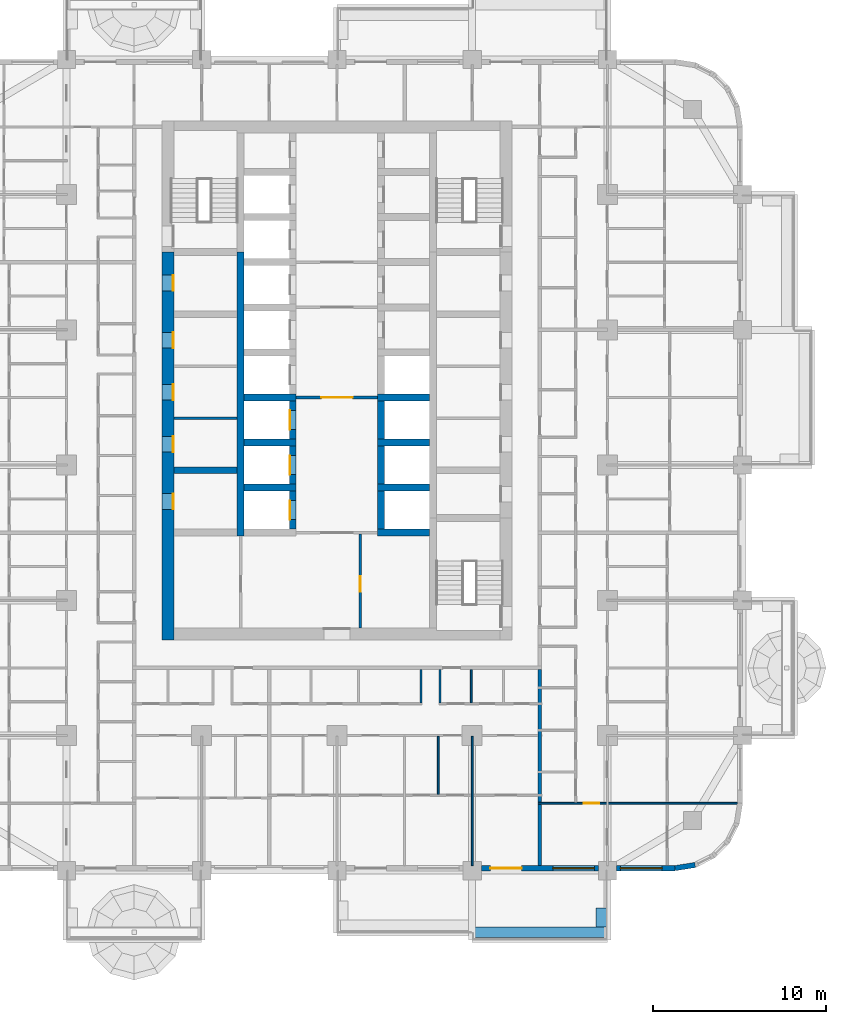
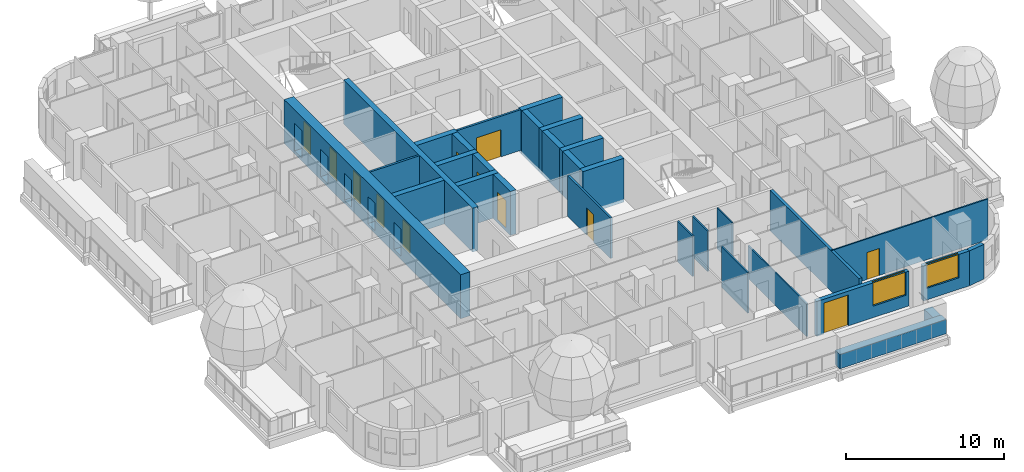
# One storey, part 7 of 19: 31 walls, 12 doors, 2 windows, 14 openings.
"""IFC4 building model written with IfcOpenShell, lengths in metres."""

import ifcopenshell
import ifcopenshell.guid

model = None  # the IFC model being written
_history = None  # IfcOwnerHistory: only IFC2X3 demands one
_inside = {}  # id of a spatial element -> (the spatial element, [elements in it])
_under = {}  # id of a project, library or spatial element -> (it, [spatial elements below it])
_declared = {}  # id of a project -> (the project, [libraries it declares])
_typed = {}  # id of a type object -> (the type object, [elements of that type])
_made_of = {}  # id of a material, layer set ... -> (it, [elements and type objects made of it])


def new_model(schema):
    """Start an empty IFC model of exactly this schema.

    Asked for "IFC4X3", IfcOpenShell would pick the latest addendum, in which some entities
    have other attributes; the version numbers below select the first issue.
    IFC2X3 requires an IfcOwnerHistory on every rooted entity: one is made here for all.
    """
    global model, _history
    if schema == "IFC4X3":
        model = ifcopenshell.file(schema_version=(4, 3, 0, 0))
    else:
        model = ifcopenshell.file(schema=schema)
    _inside.clear()
    _under.clear()
    _declared.clear()
    _typed.clear()
    _made_of.clear()
    _history = None
    if model.schema == "IFC2X3":
        org = make("IfcOrganization", Name="unknown")
        user = make(
            "IfcPersonAndOrganization",
            ThePerson=make("IfcPerson", FamilyName="unknown"),
            TheOrganization=org,
        )
        app = make(
            "IfcApplication",
            ApplicationDeveloper=org,
            Version="unknown",
            ApplicationFullName="unknown",
            ApplicationIdentifier="unknown",
        )
        _history = make(
            "IfcOwnerHistory",
            OwningUser=user,
            OwningApplication=app,
            ChangeAction="ADDED",
            CreationDate=0,
        )
    return model


def make(cls, **values):
    """One entity of the class cls with the attributes given. An attribute that is None is left unset."""
    return model.create_entity(
        cls, **{name: value for name, value in values.items() if value is not None}
    )


def rooted(cls, **values):
    """An entity with a GlobalId (a new one), such as an element, a storey or a relation."""
    return make(cls, GlobalId=ifcopenshell.guid.new(), OwnerHistory=_history, **values)


def si_unit(unit_type, name, prefix=None):
    """IfcSIUnit, for example si_unit("LENGTHUNIT", "METRE", prefix="MILLI")."""
    return make("IfcSIUnit", UnitType=unit_type, Prefix=prefix, Name=name)


def assignment(units):
    """IfcUnitAssignment: the units of a project."""
    return None if units is None else make("IfcUnitAssignment", Units=units)


def point(xyz):
    """IfcCartesianPoint."""
    return None if xyz is None else make("IfcCartesianPoint", Coordinates=xyz)


def direction(xyz):
    """IfcDirection."""
    return None if xyz is None else make("IfcDirection", DirectionRatios=xyz)


def frame(location, z_axis=None, x_axis=None):
    """IfcAxis2Placement3D, a coordinate frame: its origin and axes. An axis left out is left unset."""
    return make(
        "IfcAxis2Placement3D",
        Location=point(location),
        Axis=direction(z_axis),
        RefDirection=direction(x_axis),
    )


def frame_2d(location, x_axis=None):
    """IfcAxis2Placement2D, a coordinate frame in the plane: its origin and x axis."""
    return make(
        "IfcAxis2Placement2D", Location=point(location), RefDirection=direction(x_axis)
    )


def origin():
    """The frame at (0, 0, 0) with its axes left unset."""
    return frame((0.0, 0.0, 0.0))


def place(relative_to, where):
    """IfcLocalPlacement: puts the frame where relative to a parent placement (None: the world)."""
    return make(
        "IfcLocalPlacement", PlacementRelTo=relative_to, RelativePlacement=where
    )


def context(
    kind, dimensions, precision=None, world=None, true_north=None, identifier=None
):
    """IfcGeometricRepresentationContext, for example the 3D "Model" context."""
    return make(
        "IfcGeometricRepresentationContext",
        ContextIdentifier=identifier,
        ContextType=kind,
        CoordinateSpaceDimension=dimensions,
        Precision=precision,
        WorldCoordinateSystem=world,
        TrueNorth=true_north,
    )


def subcontext(parent, identifier, kind, view, scale=None):
    """IfcGeometricRepresentationSubContext, for example "Body" below "Model"."""
    return make(
        "IfcGeometricRepresentationSubContext",
        ContextIdentifier=identifier,
        ContextType=kind,
        ParentContext=parent,
        TargetScale=scale,
        TargetView=view,
    )


def project(units=None, contexts=None):
    """IfcProject with its units and contexts."""
    return rooted(
        "IfcProject",
        Name="project",
        RepresentationContexts=contexts,
        UnitsInContext=assignment(units),
    )


def spatial(cls, under=None, at=None, **own):
    """A site, building, storey or space (cls), placed at a placement, below another one or the project."""
    s = rooted(cls, ObjectPlacement=at, **own)
    if under is not None:
        _under.setdefault(under.id(), (under, []))[1].append(s)
    return s


def profile(cls, at=None, kind="AREA", **sizes):
    """A parametric profile (cls). Its sizes go by their IFC names, for example OverallWidth=200.0."""
    return make(cls, ProfileType=kind, Position=at, **sizes)


def rectangle(**sizes):
    """IfcRectangleProfileDef."""
    return profile("IfcRectangleProfileDef", **sizes)


def extrude(swept, where, along, depth):
    """IfcExtrudedAreaSolid: the profile swept, set in the frame where, extruded along a direction by depth."""
    return make(
        "IfcExtrudedAreaSolid",
        SweptArea=swept,
        Position=where,
        ExtrudedDirection=direction(along),
        Depth=depth,
    )


def shape(context_of_items, identifier, shape_type, items):
    """IfcShapeRepresentation: the items that make up one representation, for example the "Body"."""
    return make(
        "IfcShapeRepresentation",
        ContextOfItems=context_of_items,
        RepresentationIdentifier=identifier,
        RepresentationType=shape_type,
        Items=items,
    )


def material(Name=None, Category=None):
    """IfcMaterial."""
    return make("IfcMaterial", Name=Name, Category=Category)


def layer(
    of_material, thickness, ventilated=None, Name=None, Category=None, Priority=None
):
    """IfcMaterialLayer: one layer of a wall or slab, of a material (None: an air gap)."""
    return make(
        "IfcMaterialLayer",
        Material=of_material,
        LayerThickness=thickness,
        IsVentilated=ventilated,
        Name=Name,
        Category=Category,
        Priority=Priority,
    )


def layer_set(layers, Name=None):
    """IfcMaterialLayerSet."""
    return make("IfcMaterialLayerSet", MaterialLayers=layers, LayerSetName=Name)


def made_of(thing, what):
    """Note that an element or type object is made of a material, layer set ...; save() writes the relation."""
    if what is not None:
        _made_of.setdefault(what.id(), (what, []))[1].append(thing)
    return thing


def type_object(cls, material=None, **own):
    """A type object (cls), such as IfcWallType, which elements share."""
    return made_of(rooted(cls, **own), material)


def element(
    cls,
    number,
    at=None,
    inside=None,
    cuts=None,
    type_object=None,
    material=None,
    context=None,
    identifier="Body",
    shape_type=None,
    held_by="IfcProductDefinitionShape",
    body=None,
    shapes=None,
    **own,
):
    """One element of the class cls, such as IfcWall. Its Tag is "e" and its number.

    at: its placement. inside: the storey or other place that contains it. cuts: it is an
    opening in that element (IfcRelVoidsElement). A single representation is given by context,
    identifier, shape_type and body (its items); several are given by shapes. held_by: the class
    of the entity that holds the representations. save() writes the other relations.
    """
    e = rooted(cls, Tag="e%d" % number, ObjectPlacement=at, **own)
    if body is not None:
        shapes = [shape(context, identifier, shape_type, body)]
    if shapes is not None:
        e.Representation = make(held_by, Representations=shapes)
    if inside is not None:
        _inside.setdefault(inside.id(), (inside, []))[1].append(e)
    if cuts is not None:
        rooted(
            "IfcRelVoidsElement", RelatingBuildingElement=cuts, RelatedOpeningElement=e
        )
    if type_object is not None:
        _typed.setdefault(type_object.id(), (type_object, []))[1].append(e)
    return made_of(e, material)


def fill(opening, filler):
    """IfcRelFillsElement: the door or window that sits in an opening."""
    return rooted(
        "IfcRelFillsElement",
        RelatingOpeningElement=opening,
        RelatedBuildingElement=filler,
    )


def aggregate(whole, parts):
    """IfcRelAggregates: a whole, such as a stair, and the parts it consists of."""
    return rooted("IfcRelAggregates", RelatingObject=whole, RelatedObjects=parts)


def save(model, path):
    """Write the relations noted so far, then the file.

    IfcRelAggregates (storeys below a building ...), IfcRelContainedInSpatialStructure (elements
    in a storey), IfcRelDefinesByType, IfcRelAssociatesMaterial and IfcRelDeclares: one each for
    every whole, place, type object, material and project.
    """
    for whole, parts in _under.values():
        aggregate(whole, parts)
    for where, things in _inside.values():
        rooted(
            "IfcRelContainedInSpatialStructure",
            RelatedElements=things,
            RelatingStructure=where,
        )
    for kind, things in _typed.values():
        rooted("IfcRelDefinesByType", RelatedObjects=things, RelatingType=kind)
    for what, things in _made_of.values():
        rooted("IfcRelAssociatesMaterial", RelatedObjects=things, RelatingMaterial=what)
    for by, libraries in _declared.values():
        rooted("IfcRelDeclares", RelatingContext=by, RelatedDefinitions=libraries)
    model.write(path)


model = new_model("IFC4")

# Units and contexts
model_context = context("Model", 3, precision=1e-05, world=origin(), true_north=direction((0.0, 1.0)))
body_context = subcontext(model_context, "Body", "Model", "MODEL_VIEW")
ifc_project = project(units=[si_unit("LENGTHUNIT", "METRE"), si_unit("AREAUNIT", "SQUARE_METRE"), si_unit("VOLUMEUNIT", "CUBIC_METRE"), si_unit("PLANEANGLEUNIT", "RADIAN"), si_unit("MASSUNIT", "GRAM", prefix="KILO")], contexts=[model_context])

# Site, building, storey
site_placement = place(None, origin())
site = spatial("IfcSite", under=ifc_project, at=site_placement, CompositionType="ELEMENT")
building_placement = place(site_placement, origin())
building = spatial("IfcBuilding", under=site, at=building_placement, Name="Ludao Terraces", CompositionType="ELEMENT")
storey_placement = place(building_placement, frame((0.0, 0.0, 36.5)))
storey = spatial("IfcBuildingStorey", under=building, at=storey_placement, Name="L09", CompositionType="ELEMENT", Elevation=36.5)

# Wall, openings, doors
ifc_material_1 = material(Name="Concrete C70", Category="concrete")
ifc_layer_1 = layer(ifc_material_1, 0.699951171875)
ifc_layer_set_1 = layer_set([ifc_layer_1], Name="Core wall 700 C70")
wall_type_1 = type_object("IfcWallType", Name="Core wall 700 C70", PredefinedType="SOLIDWALL", material=ifc_layer_set_1)
wall_1_placement = place(storey_placement, frame((75.25, 54.89990234375, -0.25), z_axis=(0.0, 0.0, 1.0), x_axis=(0.0, 1.0, 0.0)))
wall_1 = element("IfcWall", 1, at=wall_1_placement, inside=storey, type_object=wall_type_1, Name="Core wall L09 outer-W", PredefinedType="SOLIDWALL", context=body_context, shape_type="SweptSolid", body=[
    extrude(rectangle(XDim=22.400146484375, YDim=0.699951171875, at=frame_2d((11.2001953125, 0.0))), origin(), (0.0, 0.0, 1.0), 3.39990234375),
])
opening_1_placement = place(wall_1_placement, frame((7.550048828125, 0.0, 0.25)))
opening_1 = element("IfcOpeningElement", 2, at=opening_1_placement, cuts=wall_1, Name="Opening R02-077", PredefinedType="OPENING", context=body_context, shape_type="SweptSolid", body=[
    extrude(rectangle(XDim=0.89990234375, YDim=2.10009765625, at=frame_2d((0.449951171875, 1.050048828125))), frame((0.0, 0.35986328125, 0.0), z_axis=(0.0, -1.0, 0.0), x_axis=(1.0, 0.0, 0.0)), (0.0, 0.0, 1.0), 0.719970703125),
])
opening_2_placement = place(wall_1_placement, frame((10.85009765625, 0.0, 0.25)))
opening_2 = element("IfcOpeningElement", 3, at=opening_2_placement, cuts=wall_1, Name="Opening R02-086", PredefinedType="OPENING", context=body_context, shape_type="SweptSolid", body=[
    extrude(rectangle(XDim=0.89990234375, YDim=2.10009765625, at=frame_2d((0.449951171875, 1.050048828125))), frame((0.0, 0.35986328125, 0.0), z_axis=(0.0, -1.0, 0.0), x_axis=(1.0, 0.0, 0.0)), (0.0, 0.0, 1.0), 0.719970703125),
])
opening_3_placement = place(wall_1_placement, frame((13.85009765625, 0.0, 0.25)))
opening_3 = element("IfcOpeningElement", 4, at=opening_3_placement, cuts=wall_1, Name="Opening R02-098", PredefinedType="OPENING", context=body_context, shape_type="SweptSolid", body=[
    extrude(rectangle(XDim=0.89990234375, YDim=2.10009765625, at=frame_2d((0.449951171875, 1.050048828125))), frame((0.0, 0.35986328125, 0.0), z_axis=(0.0, -1.0, 0.0), x_axis=(1.0, 0.0, 0.0)), (0.0, 0.0, 1.0), 0.719970703125),
])
opening_4_placement = place(wall_1_placement, frame((16.85009765625, 0.0, 0.25)))
opening_4 = element("IfcOpeningElement", 5, at=opening_4_placement, cuts=wall_1, Name="Opening R02-108", PredefinedType="OPENING", context=body_context, shape_type="SweptSolid", body=[
    extrude(rectangle(XDim=0.89990234375, YDim=2.10009765625, at=frame_2d((0.449951171875, 1.050048828125))), frame((0.0, 0.35986328125, 0.0), z_axis=(0.0, -1.0, 0.0), x_axis=(1.0, 0.0, 0.0)), (0.0, 0.0, 1.0), 0.719970703125),
])
opening_5_placement = place(wall_1_placement, frame((20.14990234375, 0.0, 0.25)))
opening_5 = element("IfcOpeningElement", 6, at=opening_5_placement, cuts=wall_1, Name="Opening R02-120", PredefinedType="OPENING", context=body_context, shape_type="SweptSolid", body=[
    extrude(rectangle(XDim=0.89990234375, YDim=2.10009765625, at=frame_2d((0.449951171875, 1.050048828125))), frame((0.0, 0.35986328125, 0.0), z_axis=(0.0, -1.0, 0.0), x_axis=(1.0, 0.0, 0.0)), (0.0, 0.0, 1.0), 0.719970703125),
])
ifc_material_2 = material(Name="Steel Q235", Category="steel")
door_type_1 = type_object("IfcDoorType", Name="INT Riser door 900", OperationType="SINGLE_SWING_LEFT", PredefinedType="DOOR", material=ifc_material_2)
door_1_placement = place(opening_1_placement, origin())
door_1 = element("IfcDoor", 7, at=door_1_placement, inside=storey, type_object=door_type_1, Name="DOOR 077", OperationType="SINGLE_SWING_LEFT", OverallHeight=2.10009765625, OverallWidth=0.89990234375, PredefinedType="DOOR", context=body_context, shape_type="SweptSolid", body=[
    extrude(rectangle(XDim=0.89990234375, YDim=2.10009765625, at=frame_2d((0.449951171875, 1.050048828125))), frame((0.0, -0.28515625, 0.0), z_axis=(0.0, -1.0, 0.0), x_axis=(1.0, 0.0, 0.0)), (0.0, 0.0, 1.0), 0.050048828125),
])
fill(opening_1, door_1)
door_2_placement = place(opening_5_placement, origin())
door_2 = element("IfcDoor", 8, at=door_2_placement, inside=storey, type_object=door_type_1, Name="DOOR 120", OperationType="SINGLE_SWING_RIGHT", OverallHeight=2.10009765625, OverallWidth=0.89990234375, PredefinedType="DOOR", context=body_context, shape_type="SweptSolid", body=[
    extrude(rectangle(XDim=0.89990234375, YDim=2.10009765625, at=frame_2d((0.449951171875, 1.050048828125))), frame((0.0, -0.28515625, 0.0), z_axis=(0.0, -1.0, 0.0), x_axis=(1.0, 0.0, 0.0)), (0.0, 0.0, 1.0), 0.050048828125),
])
fill(opening_5, door_2)
ifc_material_3 = material(Name="Timber door leaf", Category="wood")
door_type_2 = type_object("IfcDoorType", Name="INT Room door 900", OperationType="SINGLE_SWING_LEFT", PredefinedType="DOOR", material=ifc_material_3)
door_3_placement = place(opening_2_placement, origin())
door_3 = element("IfcDoor", 9, at=door_3_placement, inside=storey, type_object=door_type_2, Name="DOOR 086", OperationType="SINGLE_SWING_RIGHT", OverallHeight=2.10009765625, OverallWidth=0.89990234375, PredefinedType="DOOR", context=body_context, shape_type="SweptSolid", body=[
    extrude(rectangle(XDim=0.89990234375, YDim=2.10009765625, at=frame_2d((0.449951171875, 1.050048828125))), frame((0.0, -0.28515625, 0.0), z_axis=(0.0, -1.0, 0.0), x_axis=(1.0, 0.0, 0.0)), (0.0, 0.0, 1.0), 0.050048828125),
])
fill(opening_2, door_3)
door_4_placement = place(opening_3_placement, origin())
door_4 = element("IfcDoor", 10, at=door_4_placement, inside=storey, type_object=door_type_2, Name="DOOR 098", OperationType="SINGLE_SWING_RIGHT", OverallHeight=2.10009765625, OverallWidth=0.89990234375, PredefinedType="DOOR", context=body_context, shape_type="SweptSolid", body=[
    extrude(rectangle(XDim=0.89990234375, YDim=2.10009765625, at=frame_2d((0.449951171875, 1.050048828125))), frame((0.0, -0.28515625, 0.0), z_axis=(0.0, -1.0, 0.0), x_axis=(1.0, 0.0, 0.0)), (0.0, 0.0, 1.0), 0.050048828125),
])
fill(opening_3, door_4)
door_5_placement = place(opening_4_placement, origin())
door_5 = element("IfcDoor", 11, at=door_5_placement, inside=storey, type_object=door_type_2, Name="DOOR 108", OperationType="SINGLE_SWING_LEFT", OverallHeight=2.10009765625, OverallWidth=0.89990234375, PredefinedType="DOOR", context=body_context, shape_type="SweptSolid", body=[
    extrude(rectangle(XDim=0.89990234375, YDim=2.10009765625, at=frame_2d((0.449951171875, 1.050048828125))), frame((0.0, -0.28515625, 0.0), z_axis=(0.0, -1.0, 0.0), x_axis=(1.0, 0.0, 0.0)), (0.0, 0.0, 1.0), 0.050048828125),
])
fill(opening_4, door_5)

# Walls
ifc_material_4 = material(Name="Concrete C40", Category="concrete")
ifc_layer_2 = layer(ifc_material_4, 0.60009765625)
ifc_layer_set_2 = layer_set([ifc_layer_2], Name="ENV Planter trough 600")
wall_type_2 = type_object("IfcWallType", Name="ENV Planter trough 600", PredefinedType="USERDEFINED", material=ifc_layer_set_2)
wall_2_placement = place(storey_placement, frame((92.800048828125, 38.050048828125, 0.0), z_axis=(0.0, 0.0, 1.0), x_axis=(1.0, 0.0, 0.0)))
element("IfcWall", 12, at=wall_2_placement, inside=storey, type_object=wall_type_2, Name="PL-L09-S4", ObjectType="PLANTER", PredefinedType="USERDEFINED", context=body_context, shape_type="SweptSolid", body=[
    extrude(rectangle(XDim=7.800048828125, YDim=0.60009765625, at=frame_2d((3.89990234375, 0.0))), origin(), (0.0, 0.0, 1.0), 1.10009765625),
])
wall_3_placement = place(storey_placement, frame((100.25, 38.35009765625, 0.0), z_axis=(0.0, 0.0, 1.0), x_axis=(0.0, 1.0, 0.0)))
element("IfcWall", 13, at=wall_3_placement, inside=storey, type_object=wall_type_2, Name="PL-L09-S4-SB", ObjectType="PLANTER", PredefinedType="USERDEFINED", context=body_context, shape_type="SweptSolid", body=[
    extrude(rectangle(XDim=1.099853515625, YDim=0.60009765625, at=frame_2d((0.5498046875, 0.0))), origin(), (0.0, 0.0, 1.0), 1.10009765625),
])

# Wall, openings, door, window
ifc_material_5 = material(Name="Granite cladding", Category="masonry")
ifc_layer_3 = layer(ifc_material_5, 0.0400390625, Category="stone")
ifc_material_6 = material(Name="Mineral wool")
ifc_layer_4 = layer(ifc_material_6, 0.06005859375)
ifc_layer_5 = layer(ifc_material_4, 0.199951171875, Category="concrete")
ifc_layer_set_3 = layer_set([ifc_layer_3, ifc_layer_4, ifc_layer_5], Name="ENV Stone-clad wall 300")
wall_type_3 = type_object("IfcWallType", Name="ENV Stone-clad wall 300", PredefinedType="SOLIDWALL", material=ifc_layer_set_3)
wall_4_placement = place(storey_placement, frame((93.324951171875, 41.75, 0.0), z_axis=(0.0, 0.0, 1.0), x_axis=(1.0, 0.0, 0.0)))
wall_4 = element("IfcWall", 14, at=wall_4_placement, inside=storey, type_object=wall_type_3, Name="EW-L09-S5", PredefinedType="SOLIDWALL", context=body_context, shape_type="SweptSolid", body=[
    extrude(rectangle(XDim=6.75, YDim=0.300048828125, at=frame_2d((3.375, 0.0))), origin(), (0.0, 0.0, 1.0), 2.699951171875),
])
opening_6_placement = place(wall_4_placement, frame((0.52490234375, 0.0, 0.0)))
opening_6 = element("IfcOpeningElement", 15, at=opening_6_placement, cuts=wall_4, Name="Opening BD", PredefinedType="OPENING", context=body_context, shape_type="SweptSolid", body=[
    extrude(rectangle(XDim=1.800048828125, YDim=2.39990234375, at=frame_2d((0.89990234375, 1.199951171875))), frame((0.0, 0.16015625, 0.0), z_axis=(0.0, -1.0, 0.0), x_axis=(1.0, 0.0, 0.0)), (0.0, 0.0, 1.0), 0.320068359375),
])
opening_7_placement = place(wall_4_placement, frame((4.125, 0.0, 0.89990234375)))
opening_7 = element("IfcOpeningElement", 16, at=opening_7_placement, cuts=wall_4, Name="Opening W1", PredefinedType="OPENING", context=body_context, shape_type="SweptSolid", body=[
    extrude(rectangle(XDim=2.39990234375, YDim=1.800048828125, at=frame_2d((1.199951171875, 0.89990234375))), frame((0.0, 0.16015625, 0.0), z_axis=(0.0, -1.0, 0.0), x_axis=(1.0, 0.0, 0.0)), (0.0, 0.0, 1.0), 0.320068359375),
])
ifc_material_7 = material(Name="Aluminium glazed door", Category="aluminium")
ifc_layer_6 = layer(ifc_material_7, 0.06005859375)
ifc_layer_set_4 = layer_set([ifc_layer_6], Name="ENV Balcony door BD 1800x2400")
door_type_3 = type_object("IfcDoorType", Name="ENV Balcony door BD 1800x2400", OperationType="DOUBLE_DOOR_SINGLE_SWING", PredefinedType="DOOR", material=ifc_layer_set_4)
door_6_placement = place(opening_6_placement, origin())
door_6 = element("IfcDoor", 17, at=door_6_placement, inside=storey, type_object=door_type_3, Name="BD-L09-S5-1", OperationType="DOUBLE_DOOR_SINGLE_SWING", OverallHeight=2.39990234375, OverallWidth=1.800048828125, PredefinedType="DOOR", context=body_context, shape_type="SweptSolid", body=[
    extrude(rectangle(XDim=1.800048828125, YDim=2.39990234375, at=frame_2d((0.89990234375, 1.199951171875))), frame((0.0, 0.02490234375, 0.0), z_axis=(0.0, -1.0, 0.0), x_axis=(1.0, 0.0, 0.0)), (0.0, 0.0, 1.0), 0.050048828125),
])
fill(opening_6, door_6)
ifc_material_8 = material(Name="Clear glass in aluminium frame", Category="aluminium")
ifc_layer_7 = layer(ifc_material_8, 0.06005859375)
ifc_layer_set_5 = layer_set([ifc_layer_7], Name="ENV Window W1 2400x1800")
window_type = type_object("IfcWindowType", Name="ENV Window W1 2400x1800", PartitioningType="DOUBLE_PANEL_VERTICAL", PredefinedType="WINDOW", material=ifc_layer_set_5)
window_1_placement = place(opening_7_placement, origin())
window_1 = element("IfcWindow", 18, at=window_1_placement, inside=storey, type_object=window_type, Name="W-L09-S5-2", OverallHeight=1.800048828125, OverallWidth=2.39990234375, PartitioningType="DOUBLE_PANEL_VERTICAL", PredefinedType="WINDOW", context=body_context, shape_type="SweptSolid", body=[
    extrude(rectangle(XDim=2.39990234375, YDim=1.800048828125, at=frame_2d((1.199951171875, 0.89990234375))), frame((0.0, 0.030029296875, 0.0), z_axis=(0.0, -1.0, 0.0), x_axis=(1.0, 0.0, 0.0)), (0.0, 0.0, 1.0), 0.06005859375),
])
fill(opening_7, window_1)

# Wall, opening, window
wall_5_placement = place(storey_placement, frame((101.125, 41.75, 0.0), z_axis=(0.0, 0.0, 1.0), x_axis=(1.0, 0.0, 0.0)))
wall_5 = element("IfcWall", 19, at=wall_5_placement, inside=storey, type_object=wall_type_3, Name="EW-L09-S6", PredefinedType="SOLIDWALL", context=body_context, shape_type="SweptSolid", body=[
    extrude(rectangle(XDim=3.375, YDim=0.300048828125, at=frame_2d((1.6875, 0.0))), origin(), (0.0, 0.0, 1.0), 2.699951171875),
])
opening_8_placement = place(wall_5_placement, frame((0.22509765625, 0.0, 0.89990234375)))
opening_8 = element("IfcOpeningElement", 20, at=opening_8_placement, cuts=wall_5, Name="Opening W1", PredefinedType="OPENING", context=body_context, shape_type="SweptSolid", body=[
    extrude(rectangle(XDim=2.39990234375, YDim=1.800048828125, at=frame_2d((1.199951171875, 0.89990234375))), frame((0.0, 0.16015625, 0.0), z_axis=(0.0, -1.0, 0.0), x_axis=(1.0, 0.0, 0.0)), (0.0, 0.0, 1.0), 0.320068359375),
])
window_2_placement = place(opening_8_placement, origin())
window_2 = element("IfcWindow", 21, at=window_2_placement, inside=storey, type_object=window_type, Name="W-L09-S6-1", OverallHeight=1.800048828125, OverallWidth=2.39990234375, PartitioningType="DOUBLE_PANEL_VERTICAL", PredefinedType="WINDOW", context=body_context, shape_type="SweptSolid", body=[
    extrude(rectangle(XDim=2.39990234375, YDim=1.800048828125, at=frame_2d((1.199951171875, 0.89990234375))), frame((0.0, 0.030029296875, 0.0), z_axis=(0.0, -1.0, 0.0), x_axis=(1.0, 0.0, 0.0)), (0.0, 0.0, 1.0), 0.06005859375),
])
fill(opening_8, window_2)

# Walls
wall_6_placement = place(storey_placement, frame((104.5, 41.75, 0.0), z_axis=(0.0, 0.0, 1.0), x_axis=(0.987678452879, 0.156496880861, 0.0)))
element("IfcWall", 22, at=wall_6_placement, inside=storey, type_object=wall_type_3, Name="EW-L09-SE1", PredefinedType="SOLIDWALL", context=body_context, shape_type="SweptSolid", body=[
    extrude(rectangle(XDim=1.173095703125, YDim=0.300048828125, at=frame_2d((0.58642578125, 0.0))), origin(), (0.0, 0.0, 1.0), 2.699951171875),
])
ifc_material_9 = material(Name="Fire-rated gypsum plasterboard", Category="gypsum")
ifc_layer_8 = layer(ifc_material_9, 0.012451171875, Category="gypsum")
ifc_layer_9 = layer(ifc_material_6, 0.10009765625, Name="insulation")
ifc_layer_10 = layer(ifc_material_2, 0.02490234375, Name="stud")
ifc_layer_11 = layer(ifc_material_9, 0.012451171875, Category="gypsum")
ifc_layer_set_6 = layer_set([ifc_layer_8, ifc_layer_9, ifc_layer_10, ifc_layer_11], Name="INT Core partition 150")
wall_type_4 = type_object("IfcWallType", Name="INT Core partition 150", PredefinedType="PARTITIONING", material=ifc_layer_set_6)
wall_7_placement = place(storey_placement, frame((75.60009765625, 67.699951171875, 0.0), z_axis=(0.0, 0.0, 1.0), x_axis=(1.0, 0.0, 0.0)))
element("IfcWall", 23, at=wall_7_placement, inside=storey, type_object=wall_type_4, Name="PW-L09-PW043", PredefinedType="PARTITIONING", context=body_context, shape_type="SweptSolid", body=[
    extrude(rectangle(XDim=3.64990234375, YDim=0.14990234375, at=frame_2d((1.824951171875, 0.0))), origin(), (0.0, 0.0, 1.0), 3.14990234375),
])

# Wall, opening, door
wall_8_placement = place(storey_placement, frame((82.650146484375, 68.89990234375, 0.0), z_axis=(0.0, 0.0, 1.0), x_axis=(1.0, 0.0, 0.0)))
wall_8 = element("IfcWall", 24, at=wall_8_placement, inside=storey, type_object=wall_type_4, Name="PW-L09-PW047", PredefinedType="PARTITIONING", context=body_context, shape_type="SweptSolid", body=[
    extrude(rectangle(XDim=4.699951171875, YDim=0.14990234375, at=frame_2d((2.35009765625, 0.0))), origin(), (0.0, 0.0, 1.0), 3.14990234375),
])
opening_9_placement = place(wall_8_placement, frame((1.449951171875, 0.0, 0.0)))
opening_9 = element("IfcOpeningElement", 25, at=opening_9_placement, cuts=wall_8, Name="Opening R02-096", PredefinedType="OPENING", context=body_context, shape_type="SweptSolid", body=[
    extrude(rectangle(XDim=1.800048828125, YDim=2.10009765625, at=frame_2d((0.89990234375, 1.050048828125))), frame((0.0, 0.0849609375, 0.0), z_axis=(0.0, -1.0, 0.0), x_axis=(1.0, 0.0, 0.0)), (0.0, 0.0, 1.0), 0.169921875),
])
door_type_4 = type_object("IfcDoorType", Name="INT Fire lobby door 1800", OperationType="DOUBLE_DOOR_SINGLE_SWING", PredefinedType="DOOR", material=ifc_material_2)
door_7_placement = place(opening_9_placement, origin())
door_7 = element("IfcDoor", 26, at=door_7_placement, inside=storey, type_object=door_type_4, Name="DOOR 096", OperationType="DOUBLE_DOOR_SINGLE_SWING", OverallHeight=2.10009765625, OverallWidth=1.800048828125, PredefinedType="DOOR", context=body_context, shape_type="SweptSolid", body=[
    extrude(rectangle(XDim=1.800048828125, YDim=2.10009765625, at=frame_2d((0.89990234375, 1.050048828125))), frame((0.0, 0.02490234375, 0.0), z_axis=(0.0, -1.0, 0.0), x_axis=(1.0, 0.0, 0.0)), (0.0, 0.0, 1.0), 0.050048828125),
])
fill(opening_9, door_7)

wall_9_placement = place(storey_placement, frame((86.35009765625, 55.60009765625, 0.0), z_axis=(0.0, 0.0, 1.0), x_axis=(0.0, 1.0, 0.0)))
wall_9 = element("IfcWall", 27, at=wall_9_placement, inside=storey, type_object=wall_type_4, Name="PW-L09-PW105", PredefinedType="PARTITIONING", context=body_context, shape_type="SweptSolid", body=[
    extrude(rectangle(XDim=5.425048828125, YDim=0.14990234375, at=frame_2d((2.71240234375, 0.0))), origin(), (0.0, 0.0, 1.0), 3.14990234375),
])
opening_10_placement = place(wall_9_placement, frame((2.10009765625, 0.0, 0.0)))
opening_10 = element("IfcOpeningElement", 28, at=opening_10_placement, cuts=wall_9, Name="Opening R02-062", PredefinedType="OPENING", context=body_context, shape_type="SweptSolid", body=[
    extrude(rectangle(XDim=0.89990234375, YDim=2.10009765625, at=frame_2d((0.449951171875, 1.050048828125))), frame((0.0, 0.0849609375, 0.0), z_axis=(0.0, -1.0, 0.0), x_axis=(1.0, 0.0, 0.0)), (0.0, 0.0, 1.0), 0.169921875),
])
door_8_placement = place(opening_10_placement, origin())
door_8 = element("IfcDoor", 29, at=door_8_placement, inside=storey, type_object=door_type_2, Name="DOOR 062", OperationType="SINGLE_SWING_RIGHT", OverallHeight=2.10009765625, OverallWidth=0.89990234375, PredefinedType="DOOR", context=body_context, shape_type="SweptSolid", body=[
    extrude(rectangle(XDim=0.89990234375, YDim=2.10009765625, at=frame_2d((0.449951171875, 1.050048828125))), frame((0.0, 0.02490234375, 0.0), z_axis=(0.0, -1.0, 0.0), x_axis=(1.0, 0.0, 0.0)), (0.0, 0.0, 1.0), 0.050048828125),
])
fill(opening_10, door_8)

ifc_material_10 = material(Name="Gypsum plasterboard", Category="gypsum")
ifc_layer_12 = layer(ifc_material_10, 0.012451171875, Category="gypsum")
ifc_layer_13 = layer(ifc_material_6, 0.06005859375, Name="insulation")
ifc_layer_14 = layer(ifc_material_2, 0.014892578125, Name="stud")
ifc_layer_15 = layer(ifc_material_10, 0.012451171875, Category="gypsum")
ifc_layer_set_7 = layer_set([ifc_layer_12, ifc_layer_13, ifc_layer_14, ifc_layer_15], Name="INT Partition 100")
wall_type_5 = type_object("IfcWallType", Name="INT Partition 100", PredefinedType="PARTITIONING", material=ifc_layer_set_7)
wall_10_placement = place(storey_placement, frame((96.60009765625, 45.5, 0.0), z_axis=(0.0, 0.0, 1.0), x_axis=(1.0, 0.0, 0.0)))
wall_10 = element("IfcWall", 30, at=wall_10_placement, inside=storey, type_object=wall_type_5, Name="PW-L09-PW001", PredefinedType="PARTITIONING", context=body_context, shape_type="SweptSolid", body=[
    extrude(rectangle(XDim=11.5, YDim=0.10009765625, at=frame_2d((5.75, 0.0))), origin(), (0.0, 0.0, 1.0), 3.14990234375),
])
opening_11_placement = place(wall_10_placement, frame((2.635009765625, 0.0, 0.0)))
opening_11 = element("IfcOpeningElement", 31, at=opening_11_placement, cuts=wall_10, Name="Opening R02-006", PredefinedType="OPENING", context=body_context, shape_type="SweptSolid", body=[
    extrude(rectangle(XDim=0.89990234375, YDim=2.10009765625, at=frame_2d((0.449951171875, 1.050048828125))), frame((0.0, 0.06005859375, 0.0), z_axis=(0.0, -1.0, 0.0), x_axis=(1.0, 0.0, 0.0)), (0.0, 0.0, 1.0), 0.1201171875),
])
door_9_placement = place(opening_11_placement, origin())
door_9 = element("IfcDoor", 32, at=door_9_placement, inside=storey, type_object=door_type_2, Name="DOOR 006", OperationType="SINGLE_SWING_LEFT", OverallHeight=2.10009765625, OverallWidth=0.89990234375, PredefinedType="DOOR", context=body_context, shape_type="SweptSolid", body=[
    extrude(rectangle(XDim=0.89990234375, YDim=2.10009765625, at=frame_2d((0.449951171875, 1.050048828125))), frame((0.0, 0.02490234375, 0.0), z_axis=(0.0, -1.0, 0.0), x_axis=(1.0, 0.0, 0.0)), (0.0, 0.0, 1.0), 0.050048828125),
])
fill(opening_11, door_9)

# Walls
wall_11_placement = place(storey_placement, frame((89.85009765625, 51.280029296875, 0.0), z_axis=(0.0, 0.0, 1.0), x_axis=(0.0, 1.0, 0.0)))
element("IfcWall", 33, at=wall_11_placement, inside=storey, type_object=wall_type_5, Name="PW-L09-PW108", PredefinedType="PARTITIONING", context=body_context, shape_type="SweptSolid", body=[
    extrude(rectangle(XDim=1.920166015625, YDim=0.10009765625, at=frame_2d((0.9599609375, 0.0))), origin(), (0.0, 0.0, 1.0), 3.14990234375),
])
wall_12_placement = place(storey_placement, frame((90.85009765625, 46.0, 0.0), z_axis=(0.0, 0.0, 1.0), x_axis=(0.0, 1.0, 0.0)))
element("IfcWall", 34, at=wall_12_placement, inside=storey, type_object=wall_type_5, Name="PW-L09-PW109", PredefinedType="PARTITIONING", context=body_context, shape_type="SweptSolid", body=[
    extrude(rectangle(XDim=3.35009765625, YDim=0.10009765625, at=frame_2d((1.675048828125, 0.0))), origin(), (0.0, 0.0, 1.0), 3.14990234375),
])
for number, where, z_axis, x_axis, name in (
    (35, (90.949951171875, 51.280029296875, 0.0), (0.0, 0.0, 1.0), (0.0, 1.0, 0.0), "PW-L09-PW110"),
    (36, (92.75, 51.280029296875, 0.0), (0.0, 0.0, 1.0), (0.0, 1.0, 0.0), "PW-L09-PW111"),
):
    element("IfcWall", number, at=place(storey_placement, frame(where, z_axis=z_axis, x_axis=x_axis)), inside=storey, type_object=wall_type_5, Name=name, PredefinedType="PARTITIONING", context=body_context, shape_type="SweptSolid", body=[
        extrude(rectangle(XDim=1.920166015625, YDim=0.10009765625, at=frame_2d((0.9599609375, 0.0))), origin(), (0.0, 0.0, 1.0), 3.14990234375),
    ])
wall_13_placement = place(storey_placement, frame((92.800048828125, 41.900146484375, 0.0), z_axis=(0.0, 0.0, 1.0), x_axis=(0.0, 1.0, 0.0)))
element("IfcWall", 37, at=wall_13_placement, inside=storey, type_object=wall_type_5, Name="PW-L09-PW112", PredefinedType="PARTITIONING", context=body_context, shape_type="SweptSolid", body=[
    extrude(rectangle(XDim=7.449951171875, YDim=0.10009765625, at=frame_2d((3.72509765625, 0.0))), origin(), (0.0, 0.0, 1.0), 2.550048828125),
])
ifc_material_11 = material(Name="Autoclaved aerated concrete block B06 A3.5", Category="concrete")
ifc_layer_16 = layer(ifc_material_11, 0.199951171875)
ifc_layer_set_8 = layer_set([ifc_layer_16], Name="INT Party wall 200")
wall_type_6 = type_object("IfcWallType", Name="INT Party wall 200", PredefinedType="PARTITIONING", material=ifc_layer_set_8)
wall_14_placement = place(storey_placement, frame((96.699951171875, 41.900146484375, 0.0), z_axis=(0.0, 0.0, 1.0), x_axis=(0.0, 1.0, 0.0)))
element("IfcWall", 38, at=wall_14_placement, inside=storey, type_object=wall_type_6, Name="PW-L09-PW115", PredefinedType="PARTITIONING", context=body_context, shape_type="SweptSolid", body=[
    extrude(rectangle(XDim=11.300048828125, YDim=0.199951171875, at=frame_2d((5.64990234375, 0.0))), origin(), (0.0, 0.0, 1.0), 3.14990234375),
])
ifc_material_12 = material(Name="Concrete C60", Category="concrete")
ifc_layer_17 = layer(ifc_material_12, 0.39990234375)
ifc_layer_set_9 = layer_set([ifc_layer_17], Name="Shaft wall 400 C60")
wall_type_7 = type_object("IfcWallType", Name="Shaft wall 400 C60", PredefinedType="SOLIDWALL", material=ifc_layer_set_9)
wall_15_placement = place(storey_placement, frame((79.449951171875, 60.89990234375, -0.25), z_axis=(0.0, 0.0, 1.0), x_axis=(0.0, 1.0, 0.0)))
element("IfcWall", 39, at=wall_15_placement, inside=storey, type_object=wall_type_7, Name="Core wall L09 back-W", PredefinedType="SOLIDWALL", context=body_context, shape_type="SweptSolid", body=[
    extrude(rectangle(XDim=16.400146484375, YDim=0.39990234375, at=frame_2d((8.2001953125, 0.0))), origin(), (0.0, 0.0, 1.0), 3.39990234375),
])

# Wall, opening, door
wall_16_placement = place(storey_placement, frame((82.449951171875, 61.300048828125, -0.25), z_axis=(0.0, 0.0, 1.0), x_axis=(0.0, 1.0, 0.0)))
wall_16 = element("IfcWall", 40, at=wall_16_placement, inside=storey, type_object=wall_type_7, Name="Core wall L09 front-W1", PredefinedType="SOLIDWALL", context=body_context, shape_type="SweptSolid", body=[
    extrude(rectangle(XDim=2.199951171875, YDim=0.39990234375, at=frame_2d((1.10009765625, 0.0))), origin(), (0.0, 0.0, 1.0), 3.39990234375),
])
opening_12_placement = place(wall_16_placement, frame((0.550048828125, 0.0, 0.25)))
opening_12 = element("IfcOpeningElement", 41, at=opening_12_placement, cuts=wall_16, Name="Opening LD-LA1", PredefinedType="OPENING", context=body_context, shape_type="SweptSolid", body=[
    extrude(rectangle(XDim=1.10009765625, YDim=2.10009765625, at=frame_2d((0.550048828125, 1.050048828125))), frame((0.0, 0.2099609375, 0.0), z_axis=(0.0, -1.0, 0.0), x_axis=(1.0, 0.0, 0.0)), (0.0, 0.0, 1.0), 0.419921875),
])
ifc_material_13 = material(Name="Stainless steel 304", Category="steel")
door_type_5 = type_object("IfcDoorType", Name="INT Lift landing door 1100", OperationType="SLIDING_TO_LEFT", PredefinedType="DOOR", material=ifc_material_13)
door_10_placement = place(opening_12_placement, origin())
door_10 = element("IfcDoor", 42, at=door_10_placement, inside=storey, type_object=door_type_5, Name="LANDING DOOR LA1 L09", OperationType="SLIDING_TO_RIGHT", OverallHeight=2.10009765625, OverallWidth=1.10009765625, PredefinedType="DOOR", context=body_context, shape_type="SweptSolid", body=[
    extrude(rectangle(XDim=1.10009765625, YDim=2.10009765625, at=frame_2d((0.550048828125, 1.050048828125))), frame((0.0, 0.18505859375, 0.0), z_axis=(0.0, -1.0, 0.0), x_axis=(1.0, 0.0, 0.0)), (0.0, 0.0, 1.0), 0.050048828125),
])
fill(opening_12, door_10)

# Wall
wall_17_placement = place(storey_placement, frame((79.64990234375, 63.699951171875, -0.25), z_axis=(0.0, 0.0, 1.0), x_axis=(1.0, 0.0, 0.0)))
element("IfcWall", 43, at=wall_17_placement, inside=storey, type_object=wall_type_7, Name="Core wall L09 div-W2", PredefinedType="SOLIDWALL", context=body_context, shape_type="SweptSolid", body=[
    extrude(rectangle(XDim=3.0, YDim=0.39990234375, at=frame_2d((1.5, 0.0))), origin(), (0.0, 0.0, 1.0), 3.39990234375),
])

# Wall, opening, door
wall_18_placement = place(storey_placement, frame((82.449951171875, 63.89990234375, -0.25), z_axis=(0.0, 0.0, 1.0), x_axis=(0.0, 1.0, 0.0)))
wall_18 = element("IfcWall", 44, at=wall_18_placement, inside=storey, type_object=wall_type_7, Name="Core wall L09 front-W2", PredefinedType="SOLIDWALL", context=body_context, shape_type="SweptSolid", body=[
    extrude(rectangle(XDim=2.2001953125, YDim=0.39990234375, at=frame_2d((1.10009765625, 0.0))), origin(), (0.0, 0.0, 1.0), 3.39990234375),
])
opening_13_placement = place(wall_18_placement, frame((0.550048828125, 0.0, 0.25)))
opening_13 = element("IfcOpeningElement", 45, at=opening_13_placement, cuts=wall_18, Name="Opening LD-LA2", PredefinedType="OPENING", context=body_context, shape_type="SweptSolid", body=[
    extrude(rectangle(XDim=1.10009765625, YDim=2.10009765625, at=frame_2d((0.550048828125, 1.050048828125))), frame((0.0, 0.2099609375, 0.0), z_axis=(0.0, -1.0, 0.0), x_axis=(1.0, 0.0, 0.0)), (0.0, 0.0, 1.0), 0.419921875),
])
door_11_placement = place(opening_13_placement, origin())
door_11 = element("IfcDoor", 46, at=door_11_placement, inside=storey, type_object=door_type_5, Name="LANDING DOOR LA2 L09", OperationType="SLIDING_TO_RIGHT", OverallHeight=2.10009765625, OverallWidth=1.10009765625, PredefinedType="DOOR", context=body_context, shape_type="SweptSolid", body=[
    extrude(rectangle(XDim=1.10009765625, YDim=2.10009765625, at=frame_2d((0.550048828125, 1.050048828125))), frame((0.0, 0.18505859375, 0.0), z_axis=(0.0, -1.0, 0.0), x_axis=(1.0, 0.0, 0.0)), (0.0, 0.0, 1.0), 0.050048828125),
])
fill(opening_13, door_11)

# Wall
wall_19_placement = place(storey_placement, frame((79.64990234375, 66.300048828125, -0.25), z_axis=(0.0, 0.0, 1.0), x_axis=(1.0, 0.0, 0.0)))
element("IfcWall", 47, at=wall_19_placement, inside=storey, type_object=wall_type_7, Name="Core wall L09 div-W3", PredefinedType="SOLIDWALL", context=body_context, shape_type="SweptSolid", body=[
    extrude(rectangle(XDim=3.0, YDim=0.39990234375, at=frame_2d((1.5, 0.0))), origin(), (0.0, 0.0, 1.0), 3.39990234375),
])

# Wall, opening, door
wall_20_placement = place(storey_placement, frame((82.449951171875, 66.5, -0.25), z_axis=(0.0, 0.0, 1.0), x_axis=(0.0, 1.0, 0.0)))
wall_20 = element("IfcWall", 48, at=wall_20_placement, inside=storey, type_object=wall_type_7, Name="Core wall L09 front-W3", PredefinedType="SOLIDWALL", context=body_context, shape_type="SweptSolid", body=[
    extrude(rectangle(XDim=2.199951171875, YDim=0.39990234375, at=frame_2d((1.10009765625, 0.0))), origin(), (0.0, 0.0, 1.0), 3.39990234375),
])
opening_14_placement = place(wall_20_placement, frame((0.550048828125, 0.0, 0.25)))
opening_14 = element("IfcOpeningElement", 49, at=opening_14_placement, cuts=wall_20, Name="Opening LD-LA3", PredefinedType="OPENING", context=body_context, shape_type="SweptSolid", body=[
    extrude(rectangle(XDim=1.10009765625, YDim=2.10009765625, at=frame_2d((0.550048828125, 1.050048828125))), frame((0.0, 0.2099609375, 0.0), z_axis=(0.0, -1.0, 0.0), x_axis=(1.0, 0.0, 0.0)), (0.0, 0.0, 1.0), 0.419921875),
])
door_12_placement = place(opening_14_placement, origin())
door_12 = element("IfcDoor", 50, at=door_12_placement, inside=storey, type_object=door_type_5, Name="LANDING DOOR LA3 L09", OperationType="SLIDING_TO_RIGHT", OverallHeight=2.10009765625, OverallWidth=1.10009765625, PredefinedType="DOOR", context=body_context, shape_type="SweptSolid", body=[
    extrude(rectangle(XDim=1.10009765625, YDim=2.10009765625, at=frame_2d((0.550048828125, 1.050048828125))), frame((0.0, 0.18505859375, 0.0), z_axis=(0.0, -1.0, 0.0), x_axis=(1.0, 0.0, 0.0)), (0.0, 0.0, 1.0), 0.050048828125),
])
fill(opening_14, door_12)

# Walls
for number, where, z_axis, x_axis, name in (
    (51, (79.64990234375, 68.89990234375, -0.25), (0.0, 0.0, 1.0), (1.0, 0.0, 0.0), "Core wall L09 div-W4"),
    (52, (87.35009765625, 61.10009765625, -0.25), (0.0, 0.0, 1.0), (1.0, 0.0, 0.0), "Core wall L09 div-E1"),
):
    element("IfcWall", number, at=place(storey_placement, frame(where, z_axis=z_axis, x_axis=x_axis)), inside=storey, type_object=wall_type_7, Name=name, PredefinedType="SOLIDWALL", context=body_context, shape_type="SweptSolid", body=[
        extrude(rectangle(XDim=3.0, YDim=0.39990234375, at=frame_2d((1.5, 0.0))), origin(), (0.0, 0.0, 1.0), 3.39990234375),
    ])
wall_21_placement = place(storey_placement, frame((87.550048828125, 61.300048828125, -0.25), z_axis=(0.0, 0.0, 1.0), x_axis=(0.0, 1.0, 0.0)))
element("IfcWall", 53, at=wall_21_placement, inside=storey, type_object=wall_type_7, Name="Core wall L09 front-E1", PredefinedType="SOLIDWALL", context=body_context, shape_type="SweptSolid", body=[
    extrude(rectangle(XDim=2.199951171875, YDim=0.39990234375, at=frame_2d((1.10009765625, 0.0))), origin(), (0.0, 0.0, 1.0), 3.39990234375),
])
wall_22_placement = place(storey_placement, frame((87.35009765625, 63.699951171875, -0.25), z_axis=(0.0, 0.0, 1.0), x_axis=(1.0, 0.0, 0.0)))
element("IfcWall", 54, at=wall_22_placement, inside=storey, type_object=wall_type_7, Name="Core wall L09 div-E2", PredefinedType="SOLIDWALL", context=body_context, shape_type="SweptSolid", body=[
    extrude(rectangle(XDim=3.0, YDim=0.39990234375, at=frame_2d((1.5, 0.0))), origin(), (0.0, 0.0, 1.0), 3.39990234375),
])
wall_23_placement = place(storey_placement, frame((87.550048828125, 63.89990234375, -0.25), z_axis=(0.0, 0.0, 1.0), x_axis=(0.0, 1.0, 0.0)))
element("IfcWall", 55, at=wall_23_placement, inside=storey, type_object=wall_type_7, Name="Core wall L09 front-E2", PredefinedType="SOLIDWALL", context=body_context, shape_type="SweptSolid", body=[
    extrude(rectangle(XDim=2.2001953125, YDim=0.39990234375, at=frame_2d((1.10009765625, 0.0))), origin(), (0.0, 0.0, 1.0), 3.39990234375),
])
wall_24_placement = place(storey_placement, frame((87.35009765625, 66.300048828125, -0.25), z_axis=(0.0, 0.0, 1.0), x_axis=(1.0, 0.0, 0.0)))
element("IfcWall", 56, at=wall_24_placement, inside=storey, type_object=wall_type_7, Name="Core wall L09 div-E3", PredefinedType="SOLIDWALL", context=body_context, shape_type="SweptSolid", body=[
    extrude(rectangle(XDim=3.0, YDim=0.39990234375, at=frame_2d((1.5, 0.0))), origin(), (0.0, 0.0, 1.0), 3.39990234375),
])
wall_25_placement = place(storey_placement, frame((87.550048828125, 66.5, -0.25), z_axis=(0.0, 0.0, 1.0), x_axis=(0.0, 1.0, 0.0)))
element("IfcWall", 57, at=wall_25_placement, inside=storey, type_object=wall_type_7, Name="Core wall L09 front-E3", PredefinedType="SOLIDWALL", context=body_context, shape_type="SweptSolid", body=[
    extrude(rectangle(XDim=2.199951171875, YDim=0.39990234375, at=frame_2d((1.10009765625, 0.0))), origin(), (0.0, 0.0, 1.0), 3.39990234375),
])
wall_26_placement = place(storey_placement, frame((87.35009765625, 68.89990234375, -0.25), z_axis=(0.0, 0.0, 1.0), x_axis=(1.0, 0.0, 0.0)))
element("IfcWall", 58, at=wall_26_placement, inside=storey, type_object=wall_type_7, Name="Core wall L09 div-E4", PredefinedType="SOLIDWALL", context=body_context, shape_type="SweptSolid", body=[
    extrude(rectangle(XDim=3.0, YDim=0.39990234375, at=frame_2d((1.5, 0.0))), origin(), (0.0, 0.0, 1.0), 3.39990234375),
])
wall_27_placement = place(storey_placement, frame((75.60009765625, 64.699951171875, -0.25), z_axis=(0.0, 0.0, 1.0), x_axis=(1.0, 0.0, 0.0)))
element("IfcWall", 59, at=wall_27_placement, inside=storey, type_object=wall_type_7, Name="Core wall L09 riser-a-W", PredefinedType="SOLIDWALL", context=body_context, shape_type="SweptSolid", body=[
    extrude(rectangle(XDim=3.64990234375, YDim=0.39990234375, at=frame_2d((1.824951171875, 0.0))), origin(), (0.0, 0.0, 1.0), 3.39990234375),
])

save(model, "model.ifc")
